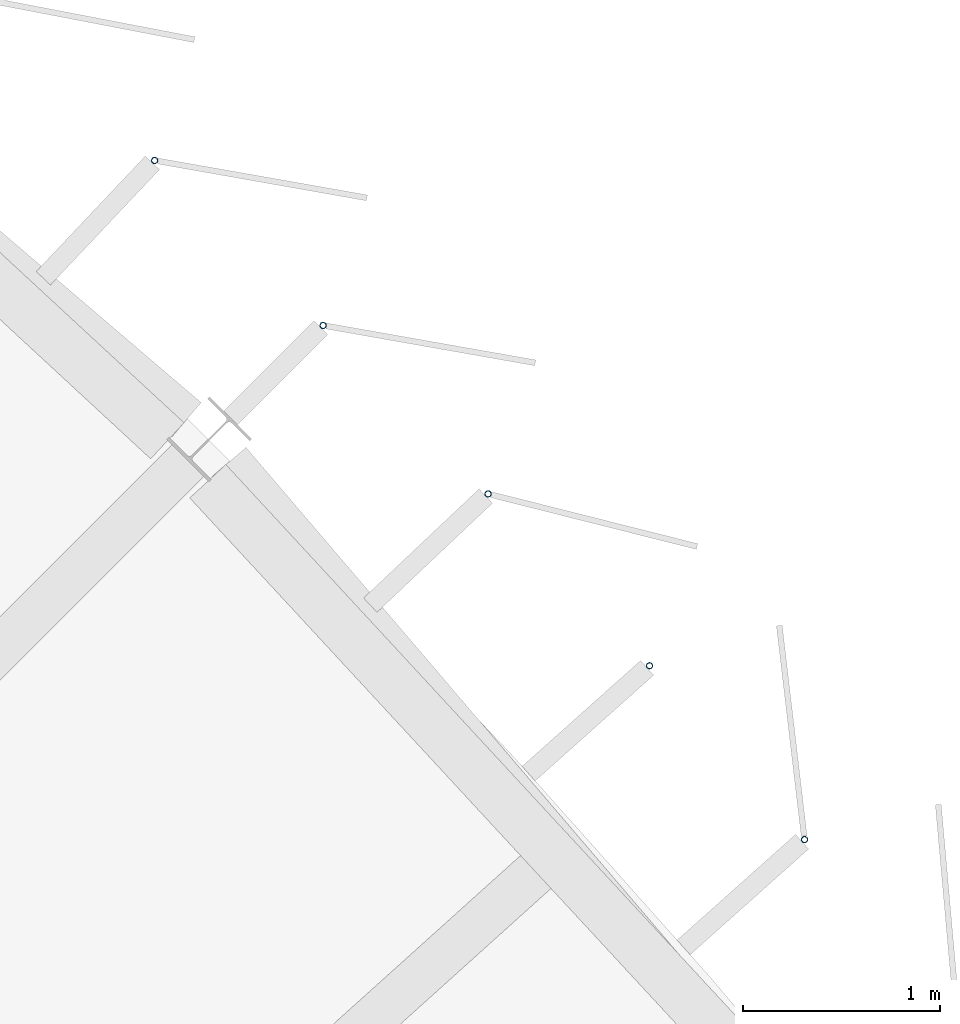
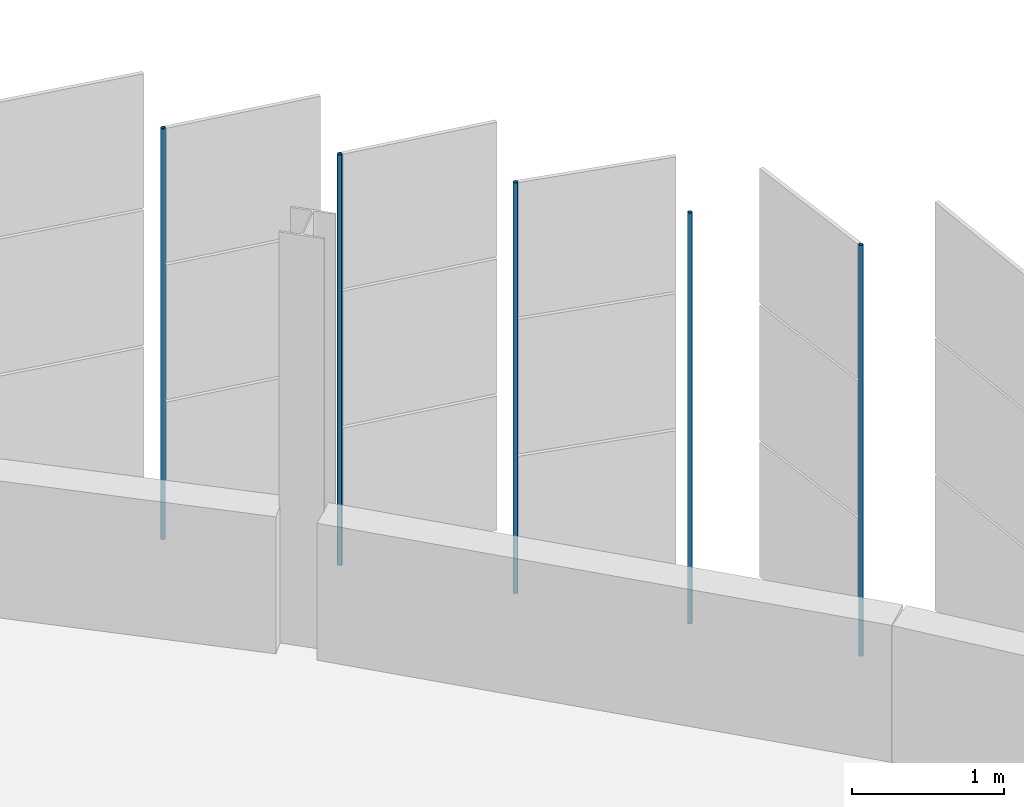
# One storey, part 129 of 199: 5 discrete accessories.
"""IFC4 building model written with IfcOpenShell, lengths in metres."""

import ifcopenshell
import ifcopenshell.guid

model = None  # the IFC model being written
_history = None  # IfcOwnerHistory: only IFC2X3 demands one
_inside = {}  # id of a spatial element -> (the spatial element, [elements in it])
_under = {}  # id of a project, library or spatial element -> (it, [spatial elements below it])
_declared = {}  # id of a project -> (the project, [libraries it declares])
_typed = {}  # id of a type object -> (the type object, [elements of that type])
_made_of = {}  # id of a material, layer set ... -> (it, [elements and type objects made of it])


def new_model(schema):
    """Start an empty IFC model of exactly this schema.

    Asked for "IFC4X3", IfcOpenShell would pick the latest addendum, in which some entities
    have other attributes; the version numbers below select the first issue.
    IFC2X3 requires an IfcOwnerHistory on every rooted entity: one is made here for all.
    """
    global model, _history
    if schema == "IFC4X3":
        model = ifcopenshell.file(schema_version=(4, 3, 0, 0))
    else:
        model = ifcopenshell.file(schema=schema)
    _inside.clear()
    _under.clear()
    _declared.clear()
    _typed.clear()
    _made_of.clear()
    _history = None
    if model.schema == "IFC2X3":
        org = make("IfcOrganization", Name="unknown")
        user = make(
            "IfcPersonAndOrganization",
            ThePerson=make("IfcPerson", FamilyName="unknown"),
            TheOrganization=org,
        )
        app = make(
            "IfcApplication",
            ApplicationDeveloper=org,
            Version="unknown",
            ApplicationFullName="unknown",
            ApplicationIdentifier="unknown",
        )
        _history = make(
            "IfcOwnerHistory",
            OwningUser=user,
            OwningApplication=app,
            ChangeAction="ADDED",
            CreationDate=0,
        )
    return model


def make(cls, **values):
    """One entity of the class cls with the attributes given. An attribute that is None is left unset."""
    return model.create_entity(
        cls, **{name: value for name, value in values.items() if value is not None}
    )


def rooted(cls, **values):
    """An entity with a GlobalId (a new one), such as an element, a storey or a relation."""
    return make(cls, GlobalId=ifcopenshell.guid.new(), OwnerHistory=_history, **values)


def si_unit(unit_type, name, prefix=None):
    """IfcSIUnit, for example si_unit("LENGTHUNIT", "METRE", prefix="MILLI")."""
    return make("IfcSIUnit", UnitType=unit_type, Prefix=prefix, Name=name)


def assignment(units):
    """IfcUnitAssignment: the units of a project."""
    return None if units is None else make("IfcUnitAssignment", Units=units)


def point(xyz):
    """IfcCartesianPoint."""
    return None if xyz is None else make("IfcCartesianPoint", Coordinates=xyz)


def direction(xyz):
    """IfcDirection."""
    return None if xyz is None else make("IfcDirection", DirectionRatios=xyz)


def frame(location, z_axis=None, x_axis=None):
    """IfcAxis2Placement3D, a coordinate frame: its origin and axes. An axis left out is left unset."""
    return make(
        "IfcAxis2Placement3D",
        Location=point(location),
        Axis=direction(z_axis),
        RefDirection=direction(x_axis),
    )


def frame_2d(location, x_axis=None):
    """IfcAxis2Placement2D, a coordinate frame in the plane: its origin and x axis."""
    return make(
        "IfcAxis2Placement2D", Location=point(location), RefDirection=direction(x_axis)
    )


def origin():
    """The frame at (0, 0, 0) with its axes left unset."""
    return frame((0.0, 0.0, 0.0))


def origin_2d():
    """The frame at (0, 0) in the plane with its x axis left unset."""
    return frame_2d((0.0, 0.0))


def place(relative_to, where):
    """IfcLocalPlacement: puts the frame where relative to a parent placement (None: the world)."""
    return make(
        "IfcLocalPlacement", PlacementRelTo=relative_to, RelativePlacement=where
    )


def context(
    kind, dimensions, precision=None, world=None, true_north=None, identifier=None
):
    """IfcGeometricRepresentationContext, for example the 3D "Model" context."""
    return make(
        "IfcGeometricRepresentationContext",
        ContextIdentifier=identifier,
        ContextType=kind,
        CoordinateSpaceDimension=dimensions,
        Precision=precision,
        WorldCoordinateSystem=world,
        TrueNorth=true_north,
    )


def subcontext(parent, identifier, kind, view, scale=None):
    """IfcGeometricRepresentationSubContext, for example "Body" below "Model"."""
    return make(
        "IfcGeometricRepresentationSubContext",
        ContextIdentifier=identifier,
        ContextType=kind,
        ParentContext=parent,
        TargetScale=scale,
        TargetView=view,
    )


def project(units=None, contexts=None):
    """IfcProject with its units and contexts."""
    return rooted(
        "IfcProject",
        Name="project",
        RepresentationContexts=contexts,
        UnitsInContext=assignment(units),
    )


def spatial(cls, under=None, at=None, **own):
    """A site, building, storey or space (cls), placed at a placement, below another one or the project."""
    s = rooted(cls, ObjectPlacement=at, **own)
    if under is not None:
        _under.setdefault(under.id(), (under, []))[1].append(s)
    return s


def profile(cls, at=None, kind="AREA", **sizes):
    """A parametric profile (cls). Its sizes go by their IFC names, for example OverallWidth=200.0."""
    return make(cls, ProfileType=kind, Position=at, **sizes)


def hollow_circle(**sizes):
    """IfcCircleHollowProfileDef."""
    return profile("IfcCircleHollowProfileDef", **sizes)


def extrude(swept, where, along, depth):
    """IfcExtrudedAreaSolid: the profile swept, set in the frame where, extruded along a direction by depth."""
    return make(
        "IfcExtrudedAreaSolid",
        SweptArea=swept,
        Position=where,
        ExtrudedDirection=direction(along),
        Depth=depth,
    )


def shape(context_of_items, identifier, shape_type, items):
    """IfcShapeRepresentation: the items that make up one representation, for example the "Body"."""
    return make(
        "IfcShapeRepresentation",
        ContextOfItems=context_of_items,
        RepresentationIdentifier=identifier,
        RepresentationType=shape_type,
        Items=items,
    )


def material(Name=None, Category=None):
    """IfcMaterial."""
    return make("IfcMaterial", Name=Name, Category=Category)


def material_profile(
    of_material, cross_section, Name=None, Category=None, Priority=None
):
    """IfcMaterialProfile: a cross section and its material."""
    return make(
        "IfcMaterialProfile",
        Name=Name,
        Material=of_material,
        Profile=cross_section,
        Priority=Priority,
        Category=Category,
    )


def profile_set(profiles, Name=None, composite=None):
    """IfcMaterialProfileSet."""
    return make(
        "IfcMaterialProfileSet",
        Name=Name,
        MaterialProfiles=profiles,
        CompositeProfile=composite,
    )


def made_of(thing, what):
    """Note that an element or type object is made of a material, layer set ...; save() writes the relation."""
    if what is not None:
        _made_of.setdefault(what.id(), (what, []))[1].append(thing)
    return thing


def type_object(cls, material=None, **own):
    """A type object (cls), such as IfcWallType, which elements share."""
    return made_of(rooted(cls, **own), material)


def element(
    cls,
    number,
    at=None,
    inside=None,
    cuts=None,
    type_object=None,
    material=None,
    context=None,
    identifier="Body",
    shape_type=None,
    held_by="IfcProductDefinitionShape",
    body=None,
    shapes=None,
    **own,
):
    """One element of the class cls, such as IfcWall. Its Tag is "e" and its number.

    at: its placement. inside: the storey or other place that contains it. cuts: it is an
    opening in that element (IfcRelVoidsElement). A single representation is given by context,
    identifier, shape_type and body (its items); several are given by shapes. held_by: the class
    of the entity that holds the representations. save() writes the other relations.
    """
    e = rooted(cls, Tag="e%d" % number, ObjectPlacement=at, **own)
    if body is not None:
        shapes = [shape(context, identifier, shape_type, body)]
    if shapes is not None:
        e.Representation = make(held_by, Representations=shapes)
    if inside is not None:
        _inside.setdefault(inside.id(), (inside, []))[1].append(e)
    if cuts is not None:
        rooted(
            "IfcRelVoidsElement", RelatingBuildingElement=cuts, RelatedOpeningElement=e
        )
    if type_object is not None:
        _typed.setdefault(type_object.id(), (type_object, []))[1].append(e)
    return made_of(e, material)


def aggregate(whole, parts):
    """IfcRelAggregates: a whole, such as a stair, and the parts it consists of."""
    return rooted("IfcRelAggregates", RelatingObject=whole, RelatedObjects=parts)


def save(model, path):
    """Write the relations noted so far, then the file.

    IfcRelAggregates (storeys below a building ...), IfcRelContainedInSpatialStructure (elements
    in a storey), IfcRelDefinesByType, IfcRelAssociatesMaterial and IfcRelDeclares: one each for
    every whole, place, type object, material and project.
    """
    for whole, parts in _under.values():
        aggregate(whole, parts)
    for where, things in _inside.values():
        rooted(
            "IfcRelContainedInSpatialStructure",
            RelatedElements=things,
            RelatingStructure=where,
        )
    for kind, things in _typed.values():
        rooted("IfcRelDefinesByType", RelatedObjects=things, RelatingType=kind)
    for what, things in _made_of.values():
        rooted("IfcRelAssociatesMaterial", RelatedObjects=things, RelatingMaterial=what)
    for by, libraries in _declared.values():
        rooted("IfcRelDeclares", RelatingContext=by, RelatedDefinitions=libraries)
    model.write(path)


model = new_model("IFC4")

# Units and contexts
model_context = context("Model", 3, precision=1e-05, world=origin(), true_north=direction((0.0, 1.0)))
body_context = subcontext(model_context, "Body", "Model", "MODEL_VIEW")
ifc_project = project(units=[si_unit("LENGTHUNIT", "METRE"), si_unit("AREAUNIT", "SQUARE_METRE"), si_unit("VOLUMEUNIT", "CUBIC_METRE"), si_unit("PLANEANGLEUNIT", "RADIAN"), si_unit("MASSUNIT", "GRAM", prefix="KILO")], contexts=[model_context])

# Site, building, storey
site_placement = place(None, origin())
site = spatial("IfcSite", under=ifc_project, at=site_placement, CompositionType="ELEMENT")
building_placement = place(site_placement, origin())
building = spatial("IfcBuilding", under=site, at=building_placement, Name="Parallax Yard Mobility Hub", CompositionType="ELEMENT")
storey_placement = place(building_placement, frame((0.0, 0.0, 9.89990234375)))
storey = spatial("IfcBuildingStorey", under=building, at=storey_placement, Name="L03", CompositionType="ELEMENT", Elevation=9.89990234375)

# Discrete accessories
ifc_material = material(Name="Steel ASTM A500 Gr C, hot-dip galvanised", Category="steel")
ifc_material_profile = material_profile(ifc_material, hollow_circle(Radius=0.016845703125, WallThickness=0.003173828125, at=origin_2d()), Name="CHS 33.7x3.2")
ifc_profile_set = profile_set([ifc_material_profile], Name="Steel ASTM A500 Gr C, hot-dip galvanised")
discrete_accessory_type = type_object("IfcDiscreteAccessoryType", Name="Hinge post CHS 33.7x3.2", PredefinedType="BRACKET", material=ifc_profile_set)
for number, where, z_axis, x_axis, name in (
    (1, (212.651123046875, 125.086181640625, 0.0), (0.0, 0.0, 1.0), (1.0, 0.0, 0.0), "Hinge post bay 45.5 level L03"),
    (2, (211.862548828125, 125.970458984375, 0.0), (0.0, 0.0, 1.0), (1.0, 0.0, 0.0), "Hinge post bay 45.6 level L03"),
    (3, (211.041015625, 126.844970703125, 0.0), (0.0, 0.0, 1.0), (1.0, 0.0, 0.0), "Hinge post bay 45.7 level L03"),
    (4, (210.20166015625, 127.701904296875, 0.0), (0.0, 0.0, 1.0), (1.0, 0.0, 0.0), "Hinge post bay 46.1 level L03"),
    (5, (209.344482421875, 128.54150390625, 0.0), (0.0, 0.0, 1.0), (1.0, 0.0, 0.0), "Hinge post bay 46.2 level L03"),
):
    element("IfcDiscreteAccessory", number, at=place(storey_placement, frame(where, z_axis=z_axis, x_axis=x_axis)), inside=storey, type_object=discrete_accessory_type, Name=name, PredefinedType="BRACKET", context=body_context, shape_type="SweptSolid", body=[
        extrude(hollow_circle(Radius=0.016845703125, WallThickness=0.003173828125, at=origin_2d()), origin(), (0.0, 0.0, 1.0), 3.300048828125),
    ])

save(model, "model.ifc")
